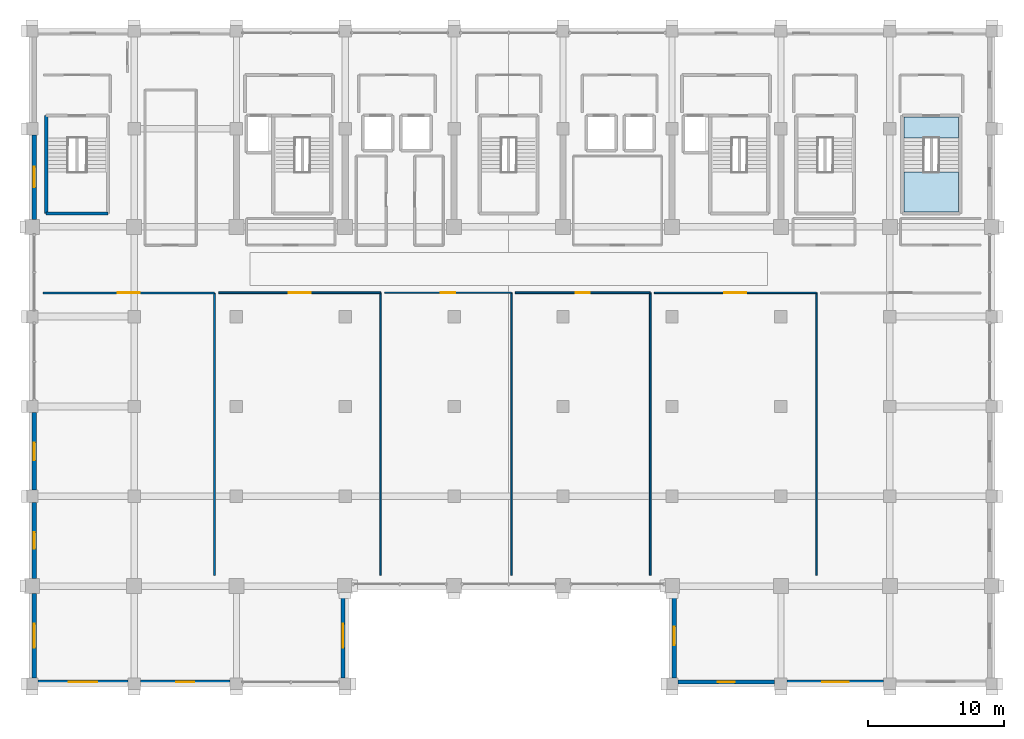
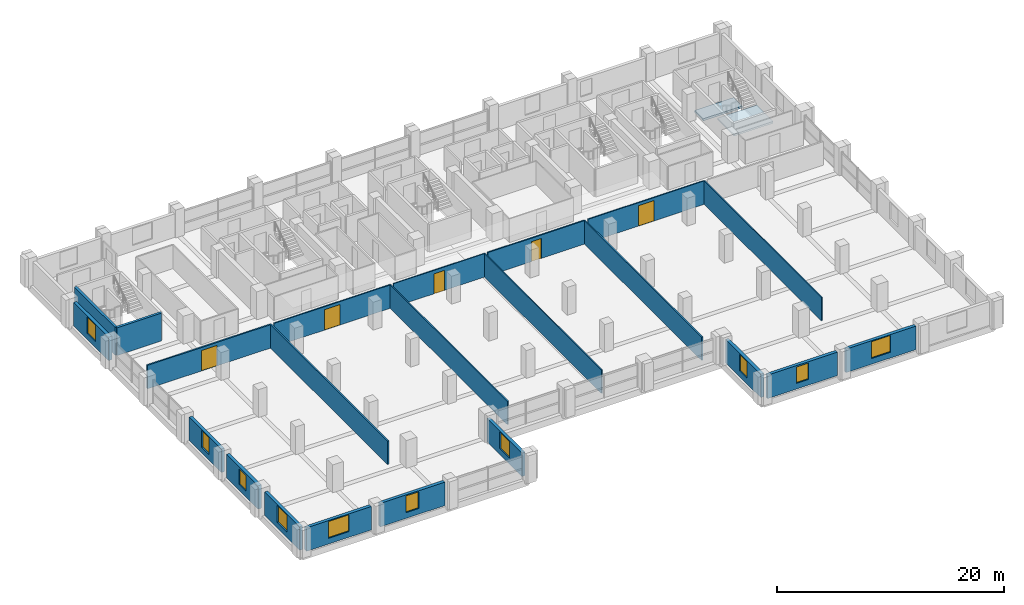
# One storey, part 16 of 21: 22 walls, 10 windows, 5 doors, 2 slabs, 15 openings, 1 element without a shape of its own.
"""IFC4 building model written with IfcOpenShell, lengths in metres."""

from ifc_helpers import new_model, si_unit, direction, frame, frame_2d, origin, place, context, subcontext, project, spatial, polyline, rectangle, outline, extrude, material, layer, layer_set, type_object, element, fill, aggregate, save


model = new_model("IFC4")

# Units and contexts
model_context = context("Model", 3, precision=1e-05, world=origin(), true_north=direction((0.0, 1.0)))
body_context = subcontext(model_context, "Body", "Model", "MODEL_VIEW")
ifc_project = project(units=[si_unit("LENGTHUNIT", "METRE"), si_unit("AREAUNIT", "SQUARE_METRE"), si_unit("VOLUMEUNIT", "CUBIC_METRE"), si_unit("PLANEANGLEUNIT", "RADIAN"), si_unit("MASSUNIT", "GRAM", prefix="KILO")], contexts=[model_context])

# Site, building, storey
site_placement = place(None, origin())
site = spatial("IfcSite", under=ifc_project, at=site_placement, CompositionType="ELEMENT")
building_placement = place(site_placement, origin())
building = spatial("IfcBuilding", under=site, at=building_placement, Name="Akrevak Sports Hall", CompositionType="ELEMENT")
storey_placement = place(building_placement, frame((0.0, 0.0, 34.050048828125)))
storey = spatial("IfcBuildingStorey", under=building, at=storey_placement, Name="L07", CompositionType="ELEMENT", Elevation=34.050048828125)

# Stair, slab
ifc_material_1 = material(Name="Concrete C40/50", Category="concrete")
stair_type = type_object("IfcStairType", Name="ARC-STR-DOG-325", PredefinedType="HALF_TURN_STAIR", material=ifc_material_1)
stair_placement = place(storey_placement, origin())
stair = element("IfcStair", 1, at=stair_placement, inside=storey, type_object=stair_type, Name="East Transfer Exit Stair ST11 (L07 to L08)", PredefinedType="HALF_TURN_STAIR")
ifc_layer_1 = layer(ifc_material_1, 0.199951171875, Name="Concrete C40/50")
ifc_layer_set_1 = layer_set([ifc_layer_1], Name="Concrete C40/50")
slab_type_1 = type_object("IfcSlabType", Name="STR-SLB-LAND-200", PredefinedType="LANDING", material=ifc_layer_set_1)
slab_1_placement = place(storey_placement, frame((0.0, 0.0, 1.425048828125)))
slab_1 = element("IfcSlab", 2, at=slab_1_placement, type_object=slab_type_1, Name="Stair ST11 Half-Landing 1 (L07)", PredefinedType="LANDING", context=body_context, shape_type="SweptSolid", body=[
    extrude(outline(polyline([(109.050048828125, 56.300048828125), (113.050048828125, 56.300048828125), (113.050048828125, 59.215087890625), (109.050048828125, 59.215087890625), (109.050048828125, 56.300048828125)])), origin(), (0.0, 0.0, 1.0), 0.199951171875),
])
aggregate(stair, [slab_1])

# Slab
ifc_layer_2 = layer(ifc_material_1, 0.219970703125, Name="Concrete C40/50")
ifc_layer_set_2 = layer_set([ifc_layer_2], Name="Concrete C40/50")
slab_type_2 = type_object("IfcSlabType", Name="STR-SLB-LAND-220", PredefinedType="LANDING", material=ifc_layer_set_2)
slab_2_placement = place(storey_placement, frame((0.0, 0.0, -0.219970703125)))
element("IfcSlab", 3, at=slab_2_placement, inside=storey, type_object=slab_type_2, Name="Stair ST11 Floor Landing (L07)", PredefinedType="LANDING", context=body_context, shape_type="SweptSolid", body=[
    extrude(outline(polyline([(109.050048828125, 61.735107421875), (113.050048828125, 61.735107421875), (113.050048828125, 63.25), (109.050048828125, 63.25), (109.050048828125, 61.735107421875)])), origin(), (0.0, 0.0, 1.0), 0.219970703125),
])

# Wall, opening, window
ifc_material_2 = material(Name="Limestone Ashlar", Category="stone")
ifc_layer_3 = layer(ifc_material_2, 0.070068359375, Name="Limestone Ashlar")
ifc_material_3 = material(Name="Mineral Wool Thermal Insulation", Category="insulation")
ifc_layer_4 = layer(ifc_material_3, 0.090087890625, Name="Mineral Wool Thermal Insulation")
ifc_layer_5 = layer(ifc_material_1, 0.159912109375, Name="Concrete C40/50")
ifc_layer_set_3 = layer_set([ifc_layer_3, ifc_layer_4, ifc_layer_5], Name="Limestone Ashlar / Mineral Wool Thermal Insulation / Concrete C40/50")
wall_type_1 = type_object("IfcWallType", Name="ARC-WL-EXT-320", PredefinedType="SOLIDWALL", material=ifc_layer_set_3)
wall_1_placement = place(storey_placement, frame((45.449951171875, 21.760009765625, 0.0), z_axis=(0.0, 0.0, 1.0), x_axis=(1.0, 0.0, 0.0)))
wall_1 = element("IfcWall", 4, at=wall_1_placement, inside=storey, type_object=wall_type_1, Name="Tower Stone Facade Wall L07-S01", PredefinedType="SOLIDWALL", context=body_context, shape_type="SweptSolid", body=[
    extrude(rectangle(XDim=6.60009765625, YDim=0.320068359375, at=frame_2d((3.300048828125, 0.0))), origin(), (0.0, 0.0, 1.0), 2.530029296875),
])
opening_1_placement = place(wall_1_placement, frame((2.25, 0.0, 0.6201171875)))
opening_1 = element("IfcOpeningElement", 5, at=opening_1_placement, cuts=wall_1, Name="Opening WN-55", PredefinedType="OPENING", context=body_context, shape_type="SweptSolid", body=[
    extrude(rectangle(XDim=2.10009765625, YDim=1.81005859375, at=frame_2d((1.050048828125, 0.905029296875))), frame((0.0, 0.171875, 0.0), z_axis=(0.0, -1.0, 0.0), x_axis=(1.0, 0.0, 0.0)), (0.0, 0.0, 1.0), 0.343994140625),
])
ifc_material_4 = material(Name="Thermally Broken Bronze Frame & Double Low-E Glass", Category="glass")
window_type_1 = type_object("IfcWindowType", Name="ARC-WIN-SZ-2100x1810", PartitioningType="SINGLE_PANEL", PredefinedType="WINDOW", material=ifc_material_4)
window_1_placement = place(opening_1_placement, origin())
window_1 = element("IfcWindow", 6, at=window_1_placement, inside=storey, type_object=window_type_1, Name="Tower Window L07-S01", OverallHeight=1.81005859375, OverallWidth=2.10009765625, PartitioningType="SINGLE_PANEL", PredefinedType="WINDOW", context=body_context, shape_type="SweptSolid", body=[
    extrude(rectangle(XDim=2.10009765625, YDim=1.81005859375, at=frame_2d((1.050048828125, 0.905029296875))), frame((0.0, 0.030029296875, 0.0), z_axis=(0.0, -1.0, 0.0), x_axis=(1.0, 0.0, 0.0)), (0.0, 0.0, 1.0), 0.06005859375),
])
fill(opening_1, window_1)

wall_2_placement = place(storey_placement, frame((52.949951171875, 21.760009765625, 0.0), z_axis=(0.0, 0.0, 1.0), x_axis=(1.0, 0.0, 0.0)))
wall_2 = element("IfcWall", 7, at=wall_2_placement, inside=storey, type_object=wall_type_1, Name="Tower Stone Facade Wall L07-S02", PredefinedType="SOLIDWALL", context=body_context, shape_type="SweptSolid", body=[
    extrude(rectangle(XDim=6.60009765625, YDim=0.320068359375, at=frame_2d((3.300048828125, 0.0))), origin(), (0.0, 0.0, 1.0), 2.530029296875),
])
opening_2_placement = place(wall_2_placement, frame((2.64990234375, 0.0, 0.6201171875)))
opening_2 = element("IfcOpeningElement", 8, at=opening_2_placement, cuts=wall_2, Name="Opening WN-12", PredefinedType="OPENING", context=body_context, shape_type="SweptSolid", body=[
    extrude(rectangle(XDim=1.300048828125, YDim=1.800048828125, at=frame_2d((0.64990234375, 0.89990234375))), frame((0.0, 0.171875, 0.0), z_axis=(0.0, -1.0, 0.0), x_axis=(1.0, 0.0, 0.0)), (0.0, 0.0, 1.0), 0.343994140625),
])
window_type_2 = type_object("IfcWindowType", Name="ARC-WIN-TW-130x180", PartitioningType="SINGLE_PANEL", PredefinedType="WINDOW", material=ifc_material_4)
window_2_placement = place(opening_2_placement, origin())
window_2 = element("IfcWindow", 9, at=window_2_placement, inside=storey, type_object=window_type_2, Name="Tower Window L07-S02", OverallHeight=1.800048828125, OverallWidth=1.300048828125, PartitioningType="SINGLE_PANEL", PredefinedType="WINDOW", context=body_context, shape_type="SweptSolid", body=[
    extrude(rectangle(XDim=1.300048828125, YDim=1.800048828125, at=frame_2d((0.64990234375, 0.89990234375))), frame((0.0, 0.030029296875, 0.0), z_axis=(0.0, -1.0, 0.0), x_axis=(1.0, 0.0, 0.0)), (0.0, 0.0, 1.0), 0.06005859375),
])
fill(opening_2, window_2)

wall_3_placement = place(storey_placement, frame((67.840087890625, 22.050048828125, 0.0), z_axis=(0.0, 0.0, 1.0), x_axis=(0.0, 1.0, 0.0)))
wall_3 = element("IfcWall", 10, at=wall_3_placement, inside=storey, type_object=wall_type_1, Name="Tower Stone Facade Wall L07-E04", PredefinedType="SOLIDWALL", context=body_context, shape_type="SweptSolid", body=[
    extrude(rectangle(XDim=6.199951171875, YDim=0.320068359375, at=frame_2d((3.10009765625, 0.0))), origin(), (0.0, 0.0, 1.0), 2.530029296875),
])
opening_3_placement = place(wall_3_placement, frame((2.22509765625, 0.0, 0.6201171875)))
opening_3 = element("IfcOpeningElement", 11, at=opening_3_placement, cuts=wall_3, Name="Opening WN-56", PredefinedType="OPENING", context=body_context, shape_type="SweptSolid", body=[
    extrude(rectangle(XDim=1.75, YDim=1.81005859375, at=frame_2d((0.875, 0.905029296875))), frame((0.0, 0.171875, 0.0), z_axis=(0.0, -1.0, 0.0), x_axis=(1.0, 0.0, 0.0)), (0.0, 0.0, 1.0), 0.343994140625),
])
window_type_3 = type_object("IfcWindowType", Name="ARC-WIN-SZ-1750x1810", PartitioningType="SINGLE_PANEL", PredefinedType="WINDOW", material=ifc_material_4)
window_3_placement = place(opening_3_placement, origin())
window_3 = element("IfcWindow", 12, at=window_3_placement, inside=storey, type_object=window_type_3, Name="Tower Window L07-E04", OverallHeight=1.81005859375, OverallWidth=1.75, PartitioningType="SINGLE_PANEL", PredefinedType="WINDOW", context=body_context, shape_type="SweptSolid", body=[
    extrude(rectangle(XDim=1.75, YDim=1.81005859375, at=frame_2d((0.875, 0.905029296875))), frame((0.0, 0.030029296875, 0.0), z_axis=(0.0, -1.0, 0.0), x_axis=(1.0, 0.0, 0.0)), (0.0, 0.0, 1.0), 0.06005859375),
])
fill(opening_3, window_3)

wall_4_placement = place(storey_placement, frame((92.159912109375, 28.25, 0.0), z_axis=(0.0, 0.0, 1.0), x_axis=(0.0, -1.0, 0.0)))
wall_4 = element("IfcWall", 13, at=wall_4_placement, inside=storey, type_object=wall_type_1, Name="Tower Stone Facade Wall L07-W08", PredefinedType="SOLIDWALL", context=body_context, shape_type="SweptSolid", body=[
    extrude(rectangle(XDim=6.199951171875, YDim=0.320068359375, at=frame_2d((3.10009765625, 0.0))), origin(), (0.0, 0.0, 1.0), 2.530029296875),
])
opening_4_placement = place(wall_4_placement, frame((2.425048828125, 0.0, 0.6201171875)))
opening_4 = element("IfcOpeningElement", 14, at=opening_4_placement, cuts=wall_4, Name="Opening WN-19", PredefinedType="OPENING", context=body_context, shape_type="SweptSolid", body=[
    extrude(rectangle(XDim=1.35009765625, YDim=1.800048828125, at=frame_2d((0.675048828125, 0.89990234375))), frame((0.0, 0.171875, 0.0), z_axis=(0.0, -1.0, 0.0), x_axis=(1.0, 0.0, 0.0)), (0.0, 0.0, 1.0), 0.343994140625),
])
window_type_4 = type_object("IfcWindowType", Name="ARC-WIN-TW-135x180", PartitioningType="SINGLE_PANEL", PredefinedType="WINDOW", material=ifc_material_4)
window_4_placement = place(opening_4_placement, origin())
window_4 = element("IfcWindow", 15, at=window_4_placement, inside=storey, type_object=window_type_4, Name="Tower Window L07-W08", OverallHeight=1.800048828125, OverallWidth=1.35009765625, PartitioningType="SINGLE_PANEL", PredefinedType="WINDOW", context=body_context, shape_type="SweptSolid", body=[
    extrude(rectangle(XDim=1.35009765625, YDim=1.800048828125, at=frame_2d((0.675048828125, 0.89990234375))), frame((0.0, 0.030029296875, 0.0), z_axis=(0.0, -1.0, 0.0), x_axis=(1.0, 0.0, 0.0)), (0.0, 0.0, 1.0), 0.06005859375),
])
fill(opening_4, window_4)

wall_5_placement = place(storey_placement, frame((92.449951171875, 21.760009765625, 0.0), z_axis=(0.0, 0.0, 1.0), x_axis=(1.0, 0.0, 0.0)))
wall_5 = element("IfcWall", 16, at=wall_5_placement, inside=storey, type_object=wall_type_1, Name="Tower Stone Facade Wall L07-S09", PredefinedType="SOLIDWALL", context=body_context, shape_type="SweptSolid", body=[
    extrude(rectangle(XDim=7.10009765625, YDim=0.320068359375, at=frame_2d((3.550048828125, 0.0))), origin(), (0.0, 0.0, 1.0), 2.530029296875),
])
opening_5_placement = place(wall_5_placement, frame((2.925048828125, 0.0, 0.6201171875)))
opening_5 = element("IfcOpeningElement", 17, at=opening_5_placement, cuts=wall_5, Name="Opening WN-20", PredefinedType="OPENING", context=body_context, shape_type="SweptSolid", body=[
    extrude(rectangle(XDim=1.25, YDim=1.75, at=frame_2d((0.625, 0.875))), frame((0.0, 0.171875, 0.0), z_axis=(0.0, -1.0, 0.0), x_axis=(1.0, 0.0, 0.0)), (0.0, 0.0, 1.0), 0.343994140625),
])
window_type_5 = type_object("IfcWindowType", Name="ARC-WIN-TW-125x175", PartitioningType="SINGLE_PANEL", PredefinedType="WINDOW", material=ifc_material_4)
window_5_placement = place(opening_5_placement, origin())
window_5 = element("IfcWindow", 18, at=window_5_placement, inside=storey, type_object=window_type_5, Name="Tower Window L07-S09", OverallHeight=1.75, OverallWidth=1.25, PartitioningType="SINGLE_PANEL", PredefinedType="WINDOW", context=body_context, shape_type="SweptSolid", body=[
    extrude(rectangle(XDim=1.25, YDim=1.75, at=frame_2d((0.625, 0.875))), frame((0.0, 0.030029296875, 0.0), z_axis=(0.0, -1.0, 0.0), x_axis=(1.0, 0.0, 0.0)), (0.0, 0.0, 1.0), 0.06005859375),
])
fill(opening_5, window_5)

wall_6_placement = place(storey_placement, frame((100.449951171875, 21.760009765625, 0.0), z_axis=(0.0, 0.0, 1.0), x_axis=(1.0, 0.0, 0.0)))
wall_6 = element("IfcWall", 19, at=wall_6_placement, inside=storey, type_object=wall_type_1, Name="Tower Stone Facade Wall L07-S10", PredefinedType="SOLIDWALL", context=body_context, shape_type="SweptSolid", body=[
    extrude(rectangle(XDim=7.10009765625, YDim=0.320068359375, at=frame_2d((3.550048828125, 0.0))), origin(), (0.0, 0.0, 1.0), 2.530029296875),
])
opening_6_placement = place(wall_6_placement, frame((2.574951171875, 0.0, 0.6201171875)))
opening_6 = element("IfcOpeningElement", 20, at=opening_6_placement, cuts=wall_6, Name="Opening WN-52", PredefinedType="OPENING", context=body_context, shape_type="SweptSolid", body=[
    extrude(rectangle(XDim=1.949951171875, YDim=1.81005859375, at=frame_2d((0.97509765625, 0.905029296875))), frame((0.0, 0.171875, 0.0), z_axis=(0.0, -1.0, 0.0), x_axis=(1.0, 0.0, 0.0)), (0.0, 0.0, 1.0), 0.343994140625),
])
window_type_6 = type_object("IfcWindowType", Name="ARC-WIN-SZ-1950x1810", PartitioningType="SINGLE_PANEL", PredefinedType="WINDOW", material=ifc_material_4)
window_6_placement = place(opening_6_placement, origin())
window_6 = element("IfcWindow", 21, at=window_6_placement, inside=storey, type_object=window_type_6, Name="Tower Window L07-S10", OverallHeight=1.81005859375, OverallWidth=1.949951171875, PartitioningType="SINGLE_PANEL", PredefinedType="WINDOW", context=body_context, shape_type="SweptSolid", body=[
    extrude(rectangle(XDim=1.949951171875, YDim=1.81005859375, at=frame_2d((0.97509765625, 0.905029296875))), frame((0.0, 0.030029296875, 0.0), z_axis=(0.0, -1.0, 0.0), x_axis=(1.0, 0.0, 0.0)), (0.0, 0.0, 1.0), 0.06005859375),
])
fill(opening_6, window_6)

wall_7_placement = place(storey_placement, frame((45.159912109375, 61.949951171875, 0.0), z_axis=(0.0, 0.0, 1.0), x_axis=(0.0, -1.0, 0.0)))
wall_7 = element("IfcWall", 22, at=wall_7_placement, inside=storey, type_object=wall_type_1, Name="Tower Stone Facade Wall L07-W29", PredefinedType="SOLIDWALL", context=body_context, shape_type="SweptSolid", body=[
    extrude(rectangle(XDim=6.199951171875, YDim=0.320068359375, at=frame_2d((3.10009765625, 0.0))), origin(), (0.0, 0.0, 1.0), 2.530029296875),
])
opening_7_placement = place(wall_7_placement, frame((2.35009765625, 0.0, 0.6201171875)))
opening_7 = element("IfcOpeningElement", 23, at=opening_7_placement, cuts=wall_7, Name="Opening WN-48", PredefinedType="OPENING", context=body_context, shape_type="SweptSolid", body=[
    extrude(rectangle(XDim=1.5, YDim=1.81005859375, at=frame_2d((0.75, 0.905029296875))), frame((0.0, 0.171875, 0.0), z_axis=(0.0, -1.0, 0.0), x_axis=(1.0, 0.0, 0.0)), (0.0, 0.0, 1.0), 0.343994140625),
])
window_type_7 = type_object("IfcWindowType", Name="ARC-WIN-SZ-1500x1810", PartitioningType="SINGLE_PANEL", PredefinedType="WINDOW", material=ifc_material_4)
window_7_placement = place(opening_7_placement, origin())
window_7 = element("IfcWindow", 24, at=window_7_placement, inside=storey, type_object=window_type_7, Name="Tower Window L07-W29", OverallHeight=1.81005859375, OverallWidth=1.5, PartitioningType="SINGLE_PANEL", PredefinedType="WINDOW", context=body_context, shape_type="SweptSolid", body=[
    extrude(rectangle(XDim=1.5, YDim=1.81005859375, at=frame_2d((0.75, 0.905029296875))), frame((0.0, 0.030029296875, 0.0), z_axis=(0.0, -1.0, 0.0), x_axis=(1.0, 0.0, 0.0)), (0.0, 0.0, 1.0), 0.06005859375),
])
fill(opening_7, window_7)

wall_8_placement = place(storey_placement, frame((45.159912109375, 41.550048828125, 0.0), z_axis=(0.0, 0.0, 1.0), x_axis=(0.0, -1.0, 0.0)))
wall_8 = element("IfcWall", 25, at=wall_8_placement, inside=storey, type_object=wall_type_1, Name="Tower Stone Facade Wall L07-W32", PredefinedType="SOLIDWALL", context=body_context, shape_type="SweptSolid", body=[
    extrude(rectangle(XDim=5.699951171875, YDim=0.320068359375, at=frame_2d((2.85009765625, 0.0))), origin(), (0.0, 0.0, 1.0), 2.530029296875),
])
opening_8_placement = place(wall_8_placement, frame((2.199951171875, 0.0, 0.6201171875)))
opening_8 = element("IfcOpeningElement", 26, at=opening_8_placement, cuts=wall_8, Name="Opening WN-12", PredefinedType="OPENING", context=body_context, shape_type="SweptSolid", body=[
    extrude(rectangle(XDim=1.300048828125, YDim=1.800048828125, at=frame_2d((0.64990234375, 0.89990234375))), frame((0.0, 0.171875, 0.0), z_axis=(0.0, -1.0, 0.0), x_axis=(1.0, 0.0, 0.0)), (0.0, 0.0, 1.0), 0.343994140625),
])
window_8_placement = place(opening_8_placement, origin())
window_8 = element("IfcWindow", 27, at=window_8_placement, inside=storey, type_object=window_type_2, Name="Tower Window L07-W32", OverallHeight=1.800048828125, OverallWidth=1.300048828125, PartitioningType="SINGLE_PANEL", PredefinedType="WINDOW", context=body_context, shape_type="SweptSolid", body=[
    extrude(rectangle(XDim=1.300048828125, YDim=1.800048828125, at=frame_2d((0.64990234375, 0.89990234375))), frame((0.0, 0.030029296875, 0.0), z_axis=(0.0, -1.0, 0.0), x_axis=(1.0, 0.0, 0.0)), (0.0, 0.0, 1.0), 0.06005859375),
])
fill(opening_8, window_8)

wall_9_placement = place(storey_placement, frame((45.159912109375, 34.949951171875, 0.0), z_axis=(0.0, 0.0, 1.0), x_axis=(0.0, -1.0, 0.0)))
wall_9 = element("IfcWall", 28, at=wall_9_placement, inside=storey, type_object=wall_type_1, Name="Tower Stone Facade Wall L07-W33", PredefinedType="SOLIDWALL", context=body_context, shape_type="SweptSolid", body=[
    extrude(rectangle(XDim=5.599853515625, YDim=0.320068359375, at=frame_2d((2.7998046875, 0.0))), origin(), (0.0, 0.0, 1.0), 2.530029296875),
])
opening_9_placement = place(wall_9_placement, frame((2.199951171875, 0.0, 0.6201171875)))
opening_9 = element("IfcOpeningElement", 29, at=opening_9_placement, cuts=wall_9, Name="Opening WN-13", PredefinedType="OPENING", context=body_context, shape_type="SweptSolid", body=[
    extrude(rectangle(XDim=1.199951171875, YDim=1.699951171875, at=frame_2d((0.60009765625, 0.85009765625))), frame((0.0, 0.171875, 0.0), z_axis=(0.0, -1.0, 0.0), x_axis=(1.0, 0.0, 0.0)), (0.0, 0.0, 1.0), 0.343994140625),
])
window_type_8 = type_object("IfcWindowType", Name="ARC-WIN-TW-120x170", PartitioningType="SINGLE_PANEL", PredefinedType="WINDOW", material=ifc_material_4)
window_9_placement = place(opening_9_placement, origin())
window_9 = element("IfcWindow", 30, at=window_9_placement, inside=storey, type_object=window_type_8, Name="Tower Window L07-W33", OverallHeight=1.699951171875, OverallWidth=1.199951171875, PartitioningType="SINGLE_PANEL", PredefinedType="WINDOW", context=body_context, shape_type="SweptSolid", body=[
    extrude(rectangle(XDim=1.199951171875, YDim=1.699951171875, at=frame_2d((0.60009765625, 0.85009765625))), frame((0.0, 0.030029296875, 0.0), z_axis=(0.0, -1.0, 0.0), x_axis=(1.0, 0.0, 0.0)), (0.0, 0.0, 1.0), 0.06005859375),
])
fill(opening_9, window_9)

wall_10_placement = place(storey_placement, frame((45.159912109375, 28.25, 0.0), z_axis=(0.0, 0.0, 1.0), x_axis=(0.0, -1.0, 0.0)))
wall_10 = element("IfcWall", 31, at=wall_10_placement, inside=storey, type_object=wall_type_1, Name="Tower Stone Facade Wall L07-W34", PredefinedType="SOLIDWALL", context=body_context, shape_type="SweptSolid", body=[
    extrude(rectangle(XDim=6.199951171875, YDim=0.320068359375, at=frame_2d((3.10009765625, 0.0))), origin(), (0.0, 0.0, 1.0), 2.530029296875),
])
opening_10_placement = place(wall_10_placement, frame((2.22509765625, 0.0, 0.6201171875)))
opening_10 = element("IfcOpeningElement", 32, at=opening_10_placement, cuts=wall_10, Name="Opening WN-56", PredefinedType="OPENING", context=body_context, shape_type="SweptSolid", body=[
    extrude(rectangle(XDim=1.75, YDim=1.81005859375, at=frame_2d((0.875, 0.905029296875))), frame((0.0, 0.171875, 0.0), z_axis=(0.0, -1.0, 0.0), x_axis=(1.0, 0.0, 0.0)), (0.0, 0.0, 1.0), 0.343994140625),
])
window_10_placement = place(opening_10_placement, origin())
window_10 = element("IfcWindow", 33, at=window_10_placement, inside=storey, type_object=window_type_3, Name="Tower Window L07-W34", OverallHeight=1.81005859375, OverallWidth=1.75, PartitioningType="SINGLE_PANEL", PredefinedType="WINDOW", context=body_context, shape_type="SweptSolid", body=[
    extrude(rectangle(XDim=1.75, YDim=1.81005859375, at=frame_2d((0.875, 0.905029296875))), frame((0.0, 0.030029296875, 0.0), z_axis=(0.0, -1.0, 0.0), x_axis=(1.0, 0.0, 0.0)), (0.0, 0.0, 1.0), 0.06005859375),
])
fill(opening_10, window_10)

# Wall, opening, door
ifc_material_5 = material(Name="Sanitary Cubicle Partition", Category="gypsum")
ifc_layer_6 = layer(ifc_material_5, 0.10009765625, Name="Sanitary Cubicle Partition")
ifc_layer_set_4 = layer_set([ifc_layer_6], Name="Sanitary Cubicle Partition")
wall_type_2 = type_object("IfcWallType", Name="ARC-WL-PRT-100", PredefinedType="PARTITIONING", material=ifc_layer_set_4)
wall_11_placement = place(storey_placement, frame((70.89990234375, 50.35009765625, 0.0), z_axis=(0.0, 0.0, 1.0), x_axis=(1.0, 0.0, 0.0)))
wall_11 = element("IfcWall", 34, at=wall_11_placement, inside=storey, type_object=wall_type_2, Name="Interior Partition Sports Arbitration Chamber 2 (L07) (N)", PredefinedType="PARTITIONING", context=body_context, shape_type="SweptSolid", body=[
    extrude(rectangle(XDim=9.300048828125, YDim=0.10009765625, at=frame_2d((4.64990234375, 0.0))), origin(), (0.0, 0.0, 1.0), 2.530029296875),
])
opening_11_placement = place(wall_11_placement, frame((4.125, 0.0, 0.0)))
opening_11 = element("IfcOpeningElement", 35, at=opening_11_placement, cuts=wall_11, Name="Opening ID-05", PredefinedType="OPENING", context=body_context, shape_type="SweptSolid", body=[
    extrude(rectangle(XDim=1.050048828125, YDim=2.14990234375, at=frame_2d((0.52490234375, 1.074951171875))), frame((0.0, 0.06201171875, 0.0), z_axis=(0.0, -1.0, 0.0), x_axis=(1.0, 0.0, 0.0)), (0.0, 0.0, 1.0), 0.1240234375),
])
ifc_material_6 = material(Name="Hardwood Oak Acoustic Leaf", Category="wood")
door_type_1 = type_object("IfcDoorType", Name="ARC-DR-OFF-105x215", OperationType="NOTDEFINED", PredefinedType="DOOR", material=ifc_material_6)
door_1_placement = place(opening_11_placement, origin())
door_1 = element("IfcDoor", 36, at=door_1_placement, inside=storey, type_object=door_type_1, Name="Door to Sports Arbitration Chamber 2 (L07)", OperationType="SINGLE_SWING_RIGHT", OverallHeight=2.14990234375, OverallWidth=1.050048828125, PredefinedType="DOOR", context=body_context, shape_type="SweptSolid", body=[
    extrude(rectangle(XDim=1.050048828125, YDim=2.14990234375, at=frame_2d((0.52490234375, 1.074951171875))), frame((0.0, 0.02490234375, 0.0), z_axis=(0.0, -1.0, 0.0), x_axis=(1.0, 0.0, 0.0)), (0.0, 0.0, 1.0), 0.050048828125),
])
fill(opening_11, door_1)

# Wall
wall_12_placement = place(storey_placement, frame((80.199951171875, 29.60009765625, 0.0), z_axis=(0.0, 0.0, 1.0), x_axis=(0.0, 1.0, 0.0)))
element("IfcWall", 37, at=wall_12_placement, inside=storey, type_object=wall_type_2, Name="Interior Partition Sports Arbitration Chamber 2 (L07) (E)", PredefinedType="PARTITIONING", context=body_context, shape_type="SweptSolid", body=[
    extrude(rectangle(XDim=20.75, YDim=0.10009765625, at=frame_2d((10.375, 0.0))), origin(), (0.0, 0.0, 1.0), 2.530029296875),
])

# Wall, opening, door
ifc_material_7 = material(Name="Lightweight Office Partition", Category="gypsum")
ifc_layer_7 = layer(ifc_material_7, 0.110107421875, Name="Lightweight Office Partition")
ifc_layer_set_5 = layer_set([ifc_layer_7], Name="Lightweight Office Partition")
wall_type_3 = type_object("IfcWallType", Name="ARC-WL-PRT-110", PredefinedType="PARTITIONING", material=ifc_layer_set_5)
wall_13_placement = place(storey_placement, frame((90.699951171875, 50.35009765625, 0.0), z_axis=(0.0, 0.0, 1.0), x_axis=(1.0, 0.0, 0.0)))
wall_13 = element("IfcWall", 38, at=wall_13_placement, inside=storey, type_object=wall_type_3, Name="Interior Partition National Volleyball Federation Office (L07) (N)", PredefinedType="PARTITIONING", context=body_context, shape_type="SweptSolid", body=[
    extrude(rectangle(XDim=11.900146484375, YDim=0.110107421875, at=frame_2d((5.9501953125, 0.0))), origin(), (0.0, 0.0, 1.0), 2.530029296875),
])
opening_12_placement = place(wall_13_placement, frame((5.14990234375, 0.0, 0.0)))
opening_12 = element("IfcOpeningElement", 39, at=opening_12_placement, cuts=wall_13, Name="Opening ID-03", PredefinedType="OPENING", context=body_context, shape_type="SweptSolid", body=[
    extrude(rectangle(XDim=1.60009765625, YDim=2.199951171875, at=frame_2d((0.800048828125, 1.10009765625))), frame((0.0, 0.06689453125, 0.0), z_axis=(0.0, -1.0, 0.0), x_axis=(1.0, 0.0, 0.0)), (0.0, 0.0, 1.0), 0.134033203125),
])
ifc_material_8 = material(Name="Hardwood Oak & Safety Glass", Category="wood")
door_type_2 = type_object("IfcDoorType", Name="ARC-DR-HALL-160x220", OperationType="DOUBLE_DOOR_SINGLE_SWING", PredefinedType="DOOR", material=ifc_material_8)
door_2_placement = place(opening_12_placement, origin())
door_2 = element("IfcDoor", 40, at=door_2_placement, inside=storey, type_object=door_type_2, Name="Door to National Volleyball Federation Office (L07)", OperationType="DOUBLE_DOOR_SINGLE_SWING", OverallHeight=2.199951171875, OverallWidth=1.60009765625, PredefinedType="DOOR", context=body_context, shape_type="SweptSolid", body=[
    extrude(rectangle(XDim=1.60009765625, YDim=2.199951171875, at=frame_2d((0.800048828125, 1.10009765625))), frame((0.0, 0.02490234375, 0.0), z_axis=(0.0, -1.0, 0.0), x_axis=(1.0, 0.0, 0.0)), (0.0, 0.0, 1.0), 0.050048828125),
])
fill(opening_12, door_2)

# Wall
wall_14_placement = place(storey_placement, frame((102.60009765625, 29.60009765625, 0.0), z_axis=(0.0, 0.0, 1.0), x_axis=(0.0, 1.0, 0.0)))
element("IfcWall", 41, at=wall_14_placement, inside=storey, type_object=wall_type_3, Name="Interior Partition National Volleyball Federation Office (L07) (E)", PredefinedType="PARTITIONING", context=body_context, shape_type="SweptSolid", body=[
    extrude(rectangle(XDim=20.75, YDim=0.110107421875, at=frame_2d((10.375, 0.0))), origin(), (0.0, 0.0, 1.0), 2.530029296875),
])

# Wall, opening, door
ifc_material_9 = material(Name="Standard Metal Stud Partition", Category="gypsum")
ifc_layer_8 = layer(ifc_material_9, 0.1201171875, Name="Standard Metal Stud Partition")
ifc_layer_set_6 = layer_set([ifc_layer_8], Name="Standard Metal Stud Partition")
wall_type_4 = type_object("IfcWallType", Name="ARC-WL-PRT-120", PredefinedType="PARTITIONING", material=ifc_layer_set_6)
wall_15_placement = place(storey_placement, frame((58.699951171875, 50.35009765625, 0.0), z_axis=(0.0, 0.0, 1.0), x_axis=(1.0, 0.0, 0.0)))
wall_15 = element("IfcWall", 42, at=wall_15_placement, inside=storey, type_object=wall_type_4, Name="Interior Partition Sports Arbitration Chamber 1 (L07) (N)", PredefinedType="PARTITIONING", context=body_context, shape_type="SweptSolid", body=[
    extrude(rectangle(XDim=11.900146484375, YDim=0.1201171875, at=frame_2d((5.9501953125, 0.0))), origin(), (0.0, 0.0, 1.0), 2.530029296875),
])
opening_13_placement = place(wall_15_placement, frame((5.14990234375, 0.0, 0.0)))
opening_13 = element("IfcOpeningElement", 43, at=opening_13_placement, cuts=wall_15, Name="Opening ID-03", PredefinedType="OPENING", context=body_context, shape_type="SweptSolid", body=[
    extrude(rectangle(XDim=1.60009765625, YDim=2.199951171875, at=frame_2d((0.800048828125, 1.10009765625))), frame((0.0, 0.072021484375, 0.0), z_axis=(0.0, -1.0, 0.0), x_axis=(1.0, 0.0, 0.0)), (0.0, 0.0, 1.0), 0.14404296875),
])
door_3_placement = place(opening_13_placement, origin())
door_3 = element("IfcDoor", 44, at=door_3_placement, inside=storey, type_object=door_type_2, Name="Door to Sports Arbitration Chamber 1 (L07)", OperationType="DOUBLE_DOOR_SINGLE_SWING", OverallHeight=2.199951171875, OverallWidth=1.60009765625, PredefinedType="DOOR", context=body_context, shape_type="SweptSolid", body=[
    extrude(rectangle(XDim=1.60009765625, YDim=2.199951171875, at=frame_2d((0.800048828125, 1.10009765625))), frame((0.0, 0.02490234375, 0.0), z_axis=(0.0, -1.0, 0.0), x_axis=(1.0, 0.0, 0.0)), (0.0, 0.0, 1.0), 0.050048828125),
])
fill(opening_13, door_3)

# Wall
wall_16_placement = place(storey_placement, frame((70.60009765625, 29.60009765625, 0.0), z_axis=(0.0, 0.0, 1.0), x_axis=(0.0, 1.0, 0.0)))
element("IfcWall", 45, at=wall_16_placement, inside=storey, type_object=wall_type_4, Name="Interior Partition Sports Arbitration Chamber 1 (L07) (E)", PredefinedType="PARTITIONING", context=body_context, shape_type="SweptSolid", body=[
    extrude(rectangle(XDim=20.75, YDim=0.1201171875, at=frame_2d((10.375, 0.0))), origin(), (0.0, 0.0, 1.0), 2.530029296875),
])

# Wall, opening, door
ifc_material_10 = material(Name="Acoustic Metal Stud Partition", Category="gypsum")
ifc_layer_9 = layer(ifc_material_10, 0.1298828125, Name="Acoustic Metal Stud Partition")
ifc_layer_set_7 = layer_set([ifc_layer_9], Name="Acoustic Metal Stud Partition")
wall_type_5 = type_object("IfcWallType", Name="ARC-WL-PRT-130", PredefinedType="PARTITIONING", material=ifc_layer_set_7)
wall_17_placement = place(storey_placement, frame((80.5, 50.35009765625, 0.0), z_axis=(0.0, 0.0, 1.0), x_axis=(1.0, 0.0, 0.0)))
wall_17 = element("IfcWall", 46, at=wall_17_placement, inside=storey, type_object=wall_type_5, Name="Interior Partition International Delegates Lounge (L07) (N)", PredefinedType="PARTITIONING", context=body_context, shape_type="SweptSolid", body=[
    extrude(rectangle(XDim=9.89990234375, YDim=0.1298828125, at=frame_2d((4.949951171875, 0.0))), origin(), (0.0, 0.0, 1.0), 2.530029296875),
])
opening_14_placement = place(wall_17_placement, frame((4.449951171875, 0.0, 0.0)))
opening_14 = element("IfcOpeningElement", 47, at=opening_14_placement, cuts=wall_17, Name="Opening ID-06", PredefinedType="OPENING", context=body_context, shape_type="SweptSolid", body=[
    extrude(rectangle(XDim=1.0, YDim=2.14990234375, at=frame_2d((0.5, 1.074951171875))), frame((0.0, 0.076904296875, 0.0), z_axis=(0.0, -1.0, 0.0), x_axis=(1.0, 0.0, 0.0)), (0.0, 0.0, 1.0), 0.15380859375),
])
door_type_3 = type_object("IfcDoorType", Name="ARC-DR-OFF-100x215", OperationType="NOTDEFINED", PredefinedType="DOOR", material=ifc_material_6)
door_4_placement = place(opening_14_placement, origin())
door_4 = element("IfcDoor", 48, at=door_4_placement, inside=storey, type_object=door_type_3, Name="Door to International Delegates Lounge (L07)", OperationType="SINGLE_SWING_LEFT", OverallHeight=2.14990234375, OverallWidth=1.0, PredefinedType="DOOR", context=body_context, shape_type="SweptSolid", body=[
    extrude(rectangle(XDim=1.0, YDim=2.14990234375, at=frame_2d((0.5, 1.074951171875))), frame((0.0, 0.02490234375, 0.0), z_axis=(0.0, -1.0, 0.0), x_axis=(1.0, 0.0, 0.0)), (0.0, 0.0, 1.0), 0.050048828125),
])
fill(opening_14, door_4)

# Wall
wall_18_placement = place(storey_placement, frame((90.39990234375, 29.60009765625, 0.0), z_axis=(0.0, 0.0, 1.0), x_axis=(0.0, 1.0, 0.0)))
element("IfcWall", 49, at=wall_18_placement, inside=storey, type_object=wall_type_5, Name="Interior Partition International Delegates Lounge (L07) (E)", PredefinedType="PARTITIONING", context=body_context, shape_type="SweptSolid", body=[
    extrude(rectangle(XDim=20.75, YDim=0.1298828125, at=frame_2d((10.375, 0.0))), origin(), (0.0, 0.0, 1.0), 2.530029296875),
])

# Wall, opening, door
ifc_material_11 = material(Name="Double Stud Acoustic Gypsum Partition", Category="gypsum")
ifc_layer_10 = layer(ifc_material_11, 0.14990234375, Name="Double Stud Acoustic Gypsum Partition")
ifc_layer_set_8 = layer_set([ifc_layer_10], Name="Double Stud Acoustic Gypsum Partition")
wall_type_6 = type_object("IfcWallType", Name="ARC-WL-PRT-150", PredefinedType="PARTITIONING", material=ifc_layer_set_8)
wall_19_placement = place(storey_placement, frame((45.800048828125, 50.35009765625, 0.0), z_axis=(0.0, 0.0, 1.0), x_axis=(1.0, 0.0, 0.0)))
wall_19 = element("IfcWall", 50, at=wall_19_placement, inside=storey, type_object=wall_type_6, Name="Interior Partition Olympic Congress Assembly Chamber (L07) (N)", PredefinedType="PARTITIONING", context=body_context, shape_type="SweptSolid", body=[
    extrude(rectangle(XDim=12.599853515625, YDim=0.14990234375, at=frame_2d((6.2998046875, 0.0))), origin(), (0.0, 0.0, 1.0), 2.530029296875),
])
opening_15_placement = place(wall_19_placement, frame((5.5, 0.0, 0.0)))
opening_15 = element("IfcOpeningElement", 51, at=opening_15_placement, cuts=wall_19, Name="Opening ID-03", PredefinedType="OPENING", context=body_context, shape_type="SweptSolid", body=[
    extrude(rectangle(XDim=1.60009765625, YDim=2.199951171875, at=frame_2d((0.800048828125, 1.10009765625))), frame((0.0, 0.0869140625, 0.0), z_axis=(0.0, -1.0, 0.0), x_axis=(1.0, 0.0, 0.0)), (0.0, 0.0, 1.0), 0.173828125),
])
door_5_placement = place(opening_15_placement, origin())
door_5 = element("IfcDoor", 52, at=door_5_placement, inside=storey, type_object=door_type_2, Name="Door to Olympic Congress Assembly Chamber (L07)", OperationType="DOUBLE_DOOR_SINGLE_SWING", OverallHeight=2.199951171875, OverallWidth=1.60009765625, PredefinedType="DOOR", context=body_context, shape_type="SweptSolid", body=[
    extrude(rectangle(XDim=1.60009765625, YDim=2.199951171875, at=frame_2d((0.800048828125, 1.10009765625))), frame((0.0, 0.02490234375, 0.0), z_axis=(0.0, -1.0, 0.0), x_axis=(1.0, 0.0, 0.0)), (0.0, 0.0, 1.0), 0.050048828125),
])
fill(opening_15, door_5)

# Walls
wall_20_placement = place(storey_placement, frame((58.39990234375, 29.60009765625, 0.0), z_axis=(0.0, 0.0, 1.0), x_axis=(0.0, 1.0, 0.0)))
element("IfcWall", 53, at=wall_20_placement, inside=storey, type_object=wall_type_6, Name="Interior Partition Olympic Congress Assembly Chamber (L07) (E)", PredefinedType="PARTITIONING", context=body_context, shape_type="SweptSolid", body=[
    extrude(rectangle(XDim=20.75, YDim=0.14990234375, at=frame_2d((10.375, 0.0))), origin(), (0.0, 0.0, 1.0), 2.530029296875),
])
ifc_material_12 = material(Name="Concrete C50/60", Category="concrete")
ifc_layer_11 = layer(ifc_material_12, 0.25, Name="Concrete C50/60")
ifc_layer_set_9 = layer_set([ifc_layer_11], Name="Concrete C50/60")
wall_type_7 = type_object("IfcWallType", Name="STR-WL-STAIR-250", PredefinedType="SHEAR", material=ifc_layer_set_9)
wall_21_placement = place(storey_placement, frame((46.02490234375, 56.175048828125, 0.0), z_axis=(0.0, 0.0, 1.0), x_axis=(1.0, 0.0, 0.0)))
element("IfcWall", 54, at=wall_21_placement, inside=storey, type_object=wall_type_7, Name="Stair Core ST4 Shear Wall S (L07)", PredefinedType="SHEAR", context=body_context, shape_type="SweptSolid", body=[
    extrude(rectangle(XDim=4.550048828125, YDim=0.25, at=frame_2d((2.27490234375, 0.0))), origin(), (0.0, 0.0, 1.0), 3.0),
])
wall_22_placement = place(storey_placement, frame((46.02490234375, 63.375, 0.0), z_axis=(0.0, 0.0, 1.0), x_axis=(0.0, -1.0, 0.0)))
element("IfcWall", 55, at=wall_22_placement, inside=storey, type_object=wall_type_7, Name="Stair Core ST4 Shear Wall W (L07)", PredefinedType="SHEAR", context=body_context, shape_type="SweptSolid", body=[
    extrude(rectangle(XDim=7.199951171875, YDim=0.25, at=frame_2d((3.60009765625, 0.0))), origin(), (0.0, 0.0, 1.0), 3.0),
])

save(model, "model.ifc")
